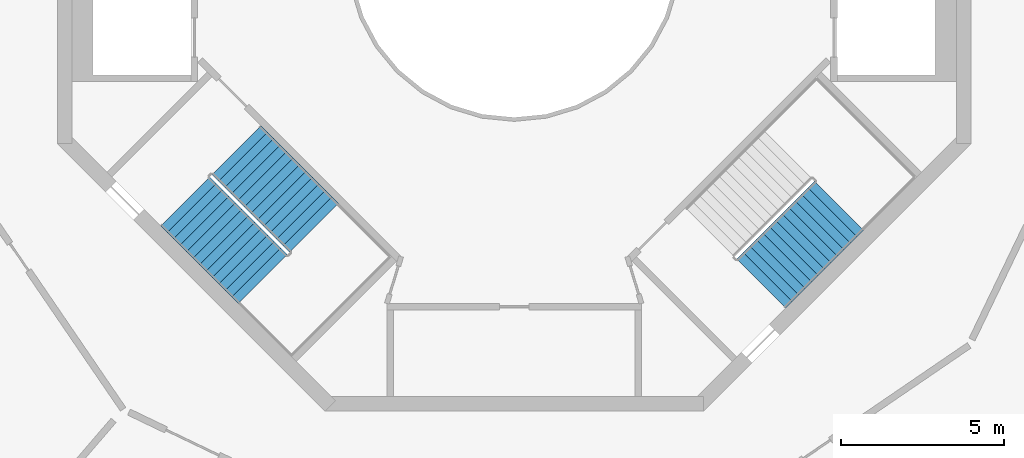
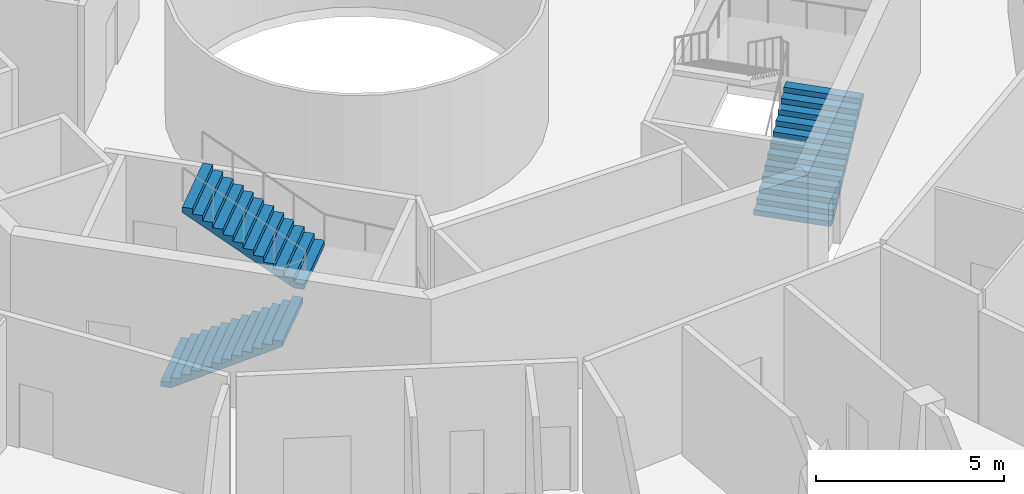
# One storey, part 17 of 19: 3 stair flights, 2 elements without a shape of their own.
"""IFC4 building model written with IfcOpenShell, lengths in metres."""

from ifc_helpers import new_model, si_unit, direction, frame, origin, place, context, subcontext, project, spatial, triangles, material, type_object, element, aggregate, save


model = new_model("IFC4")

# Units and contexts
model_context = context("Model", 3, precision=1e-05, world=origin(), true_north=direction((0.0, 1.0)))
body_context = subcontext(model_context, "Body", "Model", "MODEL_VIEW")
ifc_project = project(units=[si_unit("LENGTHUNIT", "METRE"), si_unit("AREAUNIT", "SQUARE_METRE"), si_unit("VOLUMEUNIT", "CUBIC_METRE"), si_unit("PLANEANGLEUNIT", "RADIAN"), si_unit("MASSUNIT", "GRAM", prefix="KILO")], contexts=[model_context])

# Site, building, storey
site_placement = place(None, origin())
site = spatial("IfcSite", under=ifc_project, at=site_placement, CompositionType="ELEMENT")
building_placement = place(site_placement, origin())
building = spatial("IfcBuilding", under=site, at=building_placement, Name="Verdalira Terraces Hotel", CompositionType="ELEMENT")
storey_placement = place(building_placement, frame((0.0, 0.0, 295.0)))
storey = spatial("IfcBuildingStorey", under=building, at=storey_placement, Name="L73", CompositionType="ELEMENT", Elevation=295.0)

# Stair, stair flights
ifc_material_1 = material(Name="Concrete C40", Category="concrete")
stair_type = type_object("IfcStairType", Name="Core stair 26 risers 2125 mm wide", PredefinedType="HALF_TURN_STAIR", material=ifc_material_1)
stair_1_placement = place(storey_placement, origin())
stair_1 = element("IfcStair", 1, at=stair_1_placement, inside=storey, type_object=stair_type, Name="L73 Exit stair ST2", PredefinedType="HALF_TURN_STAIR")
ifc_material_2 = material(Name="Concrete C40", Category="concrete")
stair_flight_type = type_object("IfcStairFlightType", Name="Core stair flight 26 risers 2125 mm wide", PredefinedType="STRAIGHT", material=ifc_material_2)
stair_flight_1_placement = place(storey_placement, frame((-10.085205, -7.574951, 0.0), z_axis=(0.0, 0.0, 1.0), x_axis=(0.707106781, -0.707106781, 0.0)))
stair_flight_1 = element("IfcStairFlight", 2, at=stair_flight_1_placement, type_object=stair_flight_type, Name="ST2 flight 1", NumberOfRisers=13, NumberOfTreads=12, PredefinedType="STRAIGHT", RiserHeight=0.173076923, TreadLength=0.28, context=body_context, shape_type="Tessellation", body=[
    triangles([(0.0, 1.0625, 0.0), (0.285156, 1.0625, 0.0), (3.360107, 1.0625, 1.900635), (0.0, -1.0625, 0.0), (0.285156, -1.0625, 0.0), (3.360107, -1.0625, 1.900635), (3.360107, 1.0625, 2.076904), (3.080078, 1.0625, 2.076904), (3.360107, -1.0625, 2.076904), (3.080078, -1.0625, 2.076904), (3.080078, 1.0625, 1.903809), (3.080078, -1.0625, 1.903809), (2.800049, 1.0625, 1.903809), (2.800049, -1.0625, 1.903809), (2.800049, 1.0625, 1.730713), (2.800049, -1.0625, 1.730713), (2.52002, 1.0625, 1.730713), (2.52002, 1.0625, 1.557617), (2.52002, -1.0625, 1.730713), (2.52002, -1.0625, 1.557617), (2.23999, 1.0625, 1.557617), (2.23999, 1.0625, 1.384521), (2.23999, -1.0625, 1.557617), (2.23999, -1.0625, 1.384521), (1.959961, 1.0625, 1.384521), (1.959961, 1.0625, 1.211426), (1.959961, -1.0625, 1.384521), (1.959961, -1.0625, 1.211426), (1.679932, 1.0625, 1.211426), (1.679932, 1.0625, 1.038574), (1.679932, -1.0625, 1.211426), (1.679932, -1.0625, 1.038574), (1.399902, 1.0625, 1.038574), (1.399902, 1.0625, 0.865479), (1.399902, -1.0625, 1.038574), (1.399902, -1.0625, 0.865479), (1.120117, 1.0625, 0.865479), (1.120117, 1.0625, 0.692383), (1.120117, -1.0625, 0.865479), (1.120117, -1.0625, 0.692383), (0.840088, 1.0625, 0.692383), (0.840088, 1.0625, 0.519287), (0.840088, -1.0625, 0.692383), (0.840088, -1.0625, 0.519287), (0.560059, 1.0625, 0.519287), (0.560059, 1.0625, 0.346191), (0.560059, -1.0625, 0.519287), (0.560059, -1.0625, 0.346191), (0.280029, 1.0625, 0.346191), (0.280029, 1.0625, 0.173096), (0.280029, -1.0625, 0.346191), (0.280029, -1.0625, 0.173096), (0.0, 1.0625, 0.173096), (0.0, -1.0625, 0.173096), (0.0, -0.996094, 0.0), (0.0, -0.996094, 0.173096), (0.0, -0.929688, 0.0), (0.0, -0.929688, 0.173096), (0.0, -0.863281, 0.0), (0.0, -0.863281, 0.173096), (0.0, -0.796875, 0.0), (0.0, -0.796875, 0.173096), (0.0, -0.730469, 0.0), (0.0, -0.730469, 0.173096), (0.0, -0.664062, 0.0), (0.0, -0.664062, 0.173096), (0.0, -0.597656, 0.0), (0.0, -0.597656, 0.173096), (0.0, -0.53125, 0.0), (0.0, -0.53125, 0.173096), (0.0, -0.464844, 0.0), (0.0, -0.464844, 0.173096), (0.0, -0.398438, 0.0), (0.0, -0.398438, 0.173096), (0.0, -0.332031, 0.0), (0.0, -0.332031, 0.173096), (0.0, -0.265625, 0.0), (0.0, -0.265625, 0.173096), (0.0, -0.199219, 0.0), (0.0, -0.199219, 0.173096), (0.0, -0.132812, 0.0), (0.0, -0.132812, 0.173096), (0.0, -0.066406, 0.0), (0.0, -0.066406, 0.173096), (0.0, 0.0, 0.0), (0.0, 0.0, 0.173096), (0.0, 0.066406, 0.0), (0.0, 0.066406, 0.173096), (0.0, 0.132812, 0.0), (0.0, 0.132812, 0.173096), (0.0, 0.199219, 0.0), (0.0, 0.199219, 0.173096), (0.0, 0.265625, 0.0), (0.0, 0.265625, 0.173096), (0.0, 0.332031, 0.0), (0.0, 0.332031, 0.173096), (0.0, 0.398438, 0.0), (0.0, 0.398438, 0.173096), (0.0, 0.464844, 0.0), (0.0, 0.464844, 0.173096), (0.0, 0.53125, 0.0), (0.0, 0.53125, 0.173096), (0.0, 0.597656, 0.0), (0.0, 0.597656, 0.173096), (0.0, 0.664062, 0.0), (0.0, 0.664062, 0.173096), (0.0, 0.730469, 0.0), (0.0, 0.730469, 0.173096), (0.0, 0.796875, 0.0), (0.0, 0.796875, 0.173096), (0.0, 0.863281, 0.0), (0.0, 0.863281, 0.173096), (0.0, 0.929688, 0.0), (0.0, 0.929688, 0.173096), (0.0, 0.996094, 0.0), (0.0, 0.996094, 0.173096), (3.360107, -0.996094, 2.076904), (3.360107, -0.929688, 2.076904), (3.360107, -0.863281, 2.076904), (3.360107, -0.796875, 2.076904), (3.360107, -0.730469, 2.076904), (3.360107, -0.664062, 2.076904), (3.360107, -0.597656, 2.076904), (3.360107, -0.53125, 2.076904), (3.360107, -0.464844, 2.076904), (3.360107, -0.398438, 2.076904), (3.360107, -0.332031, 2.076904), (3.360107, -0.265625, 2.076904), (3.360107, -0.199219, 2.076904), (3.360107, -0.132812, 2.076904), (3.360107, -0.066406, 2.076904), (3.360107, 0.0, 2.076904), (3.360107, 0.066406, 2.076904), (3.360107, 0.132812, 2.076904), (3.360107, 0.199219, 2.076904), (3.360107, 0.265625, 2.076904), (3.360107, 0.332031, 2.076904), (3.360107, 0.398438, 2.076904), (3.360107, 0.464844, 2.076904), (3.360107, 0.53125, 2.076904), (3.360107, 0.597656, 2.076904), (3.360107, 0.664062, 2.076904), (3.360107, 0.730469, 2.076904), (3.360107, 0.796875, 2.076904), (3.360107, 0.863281, 2.076904), (3.360107, 0.929688, 2.076904), (3.360107, 0.996094, 2.076904), (3.360107, -0.996094, 1.900635), (3.360107, -0.929688, 1.900635), (3.360107, -0.863281, 1.900635), (3.360107, -0.796875, 1.900635), (3.360107, -0.730469, 1.900635), (3.360107, -0.664062, 1.900635), (3.360107, -0.597656, 1.900635), (3.360107, -0.53125, 1.900635), (3.360107, -0.464844, 1.900635), (3.360107, -0.398438, 1.900635), (3.360107, -0.332031, 1.900635), (3.360107, -0.265625, 1.900635), (3.360107, -0.199219, 1.900635), (3.360107, -0.132812, 1.900635), (3.360107, -0.066406, 1.900635), (3.360107, 0.0, 1.900635), (3.360107, 0.066406, 1.900635), (3.360107, 0.132812, 1.900635), (3.360107, 0.199219, 1.900635), (3.360107, 0.265625, 1.900635), (3.360107, 0.332031, 1.900635), (3.360107, 0.398438, 1.900635), (3.360107, 0.464844, 1.900635), (3.360107, 0.53125, 1.900635), (3.360107, 0.597656, 1.900635), (3.360107, 0.664062, 1.900635), (3.360107, 0.730469, 1.900635), (3.360107, 0.796875, 1.900635), (3.360107, 0.863281, 1.900635), (3.360107, 0.929688, 1.900635), (3.360107, 0.996094, 1.900635)], [[1, 3, 2], [4, 5, 6], [3, 8, 7], [6, 9, 10], [3, 11, 8], [6, 10, 12], [3, 13, 11], [6, 12, 14], [3, 15, 13], [6, 14, 16], [15, 18, 17], [16, 19, 20], [3, 18, 15], [6, 16, 20], [18, 22, 21], [20, 23, 24], [3, 22, 18], [6, 20, 24], [22, 26, 25], [24, 27, 28], [3, 26, 22], [6, 24, 28], [1, 26, 3], [4, 6, 28], [26, 30, 29], [28, 31, 32], [30, 34, 33], [32, 35, 36], [26, 34, 30], [28, 32, 36], [34, 38, 37], [36, 39, 40], [26, 38, 34], [28, 36, 40], [38, 42, 41], [40, 43, 44], [26, 42, 38], [28, 40, 44], [42, 46, 45], [44, 47, 48], [26, 46, 42], [28, 44, 48], [46, 50, 49], [48, 51, 52], [26, 50, 46], [28, 48, 52], [1, 50, 26], [4, 28, 52], [50, 1, 53], [52, 54, 4], [4, 56, 55], [4, 54, 56], [55, 58, 57], [55, 56, 58], [57, 60, 59], [57, 58, 60], [59, 62, 61], [59, 60, 62], [61, 64, 63], [61, 62, 64], [63, 66, 65], [63, 64, 66], [65, 68, 67], [65, 66, 68], [67, 70, 69], [67, 68, 70], [69, 72, 71], [69, 70, 72], [71, 74, 73], [71, 72, 74], [73, 76, 75], [73, 74, 76], [75, 78, 77], [75, 76, 78], [77, 80, 79], [77, 78, 80], [79, 82, 81], [79, 80, 82], [81, 84, 83], [81, 82, 84], [83, 86, 85], [83, 84, 86], [85, 88, 87], [85, 86, 88], [87, 90, 89], [87, 88, 90], [89, 92, 91], [89, 90, 92], [91, 94, 93], [91, 92, 94], [93, 96, 95], [93, 94, 96], [95, 98, 97], [95, 96, 98], [97, 100, 99], [97, 98, 100], [99, 102, 101], [99, 100, 102], [101, 104, 103], [101, 102, 104], [103, 106, 105], [103, 104, 106], [105, 108, 107], [105, 106, 108], [107, 110, 109], [107, 108, 110], [109, 112, 111], [109, 110, 112], [111, 114, 113], [111, 112, 114], [113, 116, 115], [113, 114, 116], [115, 53, 1], [115, 116, 53], [54, 52, 56], [56, 52, 58], [58, 52, 60], [60, 52, 62], [62, 52, 64], [64, 52, 66], [66, 52, 68], [68, 52, 70], [70, 52, 72], [72, 52, 74], [74, 52, 76], [76, 52, 78], [78, 52, 80], [80, 52, 82], [82, 52, 84], [84, 52, 86], [86, 52, 88], [88, 52, 90], [90, 52, 92], [92, 52, 94], [94, 52, 96], [96, 52, 98], [98, 52, 100], [100, 52, 102], [102, 52, 104], [104, 52, 106], [106, 52, 108], [108, 52, 110], [110, 52, 112], [112, 52, 114], [114, 52, 116], [116, 52, 53], [53, 52, 50], [52, 49, 50], [52, 51, 49], [51, 46, 49], [51, 48, 46], [48, 45, 46], [48, 47, 45], [47, 42, 45], [47, 44, 42], [44, 41, 42], [44, 43, 41], [43, 38, 41], [43, 40, 38], [40, 37, 38], [40, 39, 37], [39, 34, 37], [39, 36, 34], [36, 33, 34], [36, 35, 33], [35, 30, 33], [35, 32, 30], [32, 29, 30], [32, 31, 29], [31, 26, 29], [31, 28, 26], [28, 25, 26], [28, 27, 25], [27, 22, 25], [27, 24, 22], [24, 21, 22], [24, 23, 21], [23, 18, 21], [23, 20, 18], [20, 17, 18], [20, 19, 17], [19, 15, 17], [19, 16, 15], [16, 13, 15], [16, 14, 13], [14, 11, 13], [14, 12, 11], [12, 8, 11], [12, 10, 8], [9, 117, 10], [117, 118, 10], [118, 119, 10], [119, 120, 10], [120, 121, 10], [121, 122, 10], [122, 123, 10], [123, 124, 10], [124, 125, 10], [125, 126, 10], [126, 127, 10], [127, 128, 10], [128, 129, 10], [129, 130, 10], [130, 131, 10], [131, 132, 10], [132, 133, 10], [133, 134, 10], [134, 135, 10], [135, 136, 10], [136, 137, 10], [137, 138, 10], [138, 139, 10], [139, 140, 10], [140, 141, 10], [141, 142, 10], [142, 143, 10], [143, 144, 10], [144, 145, 10], [145, 146, 10], [146, 147, 10], [147, 7, 10], [7, 8, 10], [9, 148, 117], [9, 6, 148], [117, 149, 118], [117, 148, 149], [118, 150, 119], [118, 149, 150], [119, 151, 120], [119, 150, 151], [120, 152, 121], [120, 151, 152], [121, 153, 122], [121, 152, 153], [122, 154, 123], [122, 153, 154], [123, 155, 124], [123, 154, 155], [124, 156, 125], [124, 155, 156], [125, 157, 126], [125, 156, 157], [126, 158, 127], [126, 157, 158], [127, 159, 128], [127, 158, 159], [128, 160, 129], [128, 159, 160], [129, 161, 130], [129, 160, 161], [130, 162, 131], [130, 161, 162], [131, 163, 132], [131, 162, 163], [132, 164, 133], [132, 163, 164], [133, 165, 134], [133, 164, 165], [134, 166, 135], [134, 165, 166], [135, 167, 136], [135, 166, 167], [136, 168, 137], [136, 167, 168], [137, 169, 138], [137, 168, 169], [138, 170, 139], [138, 169, 170], [139, 171, 140], [139, 170, 171], [140, 172, 141], [140, 171, 172], [141, 173, 142], [141, 172, 173], [142, 174, 143], [142, 173, 174], [143, 175, 144], [143, 174, 175], [144, 176, 145], [144, 175, 176], [145, 177, 146], [145, 176, 177], [146, 178, 147], [146, 177, 178], [147, 3, 7], [147, 178, 3], [6, 5, 148], [148, 5, 149], [149, 5, 150], [150, 5, 151], [151, 5, 152], [152, 5, 153], [153, 5, 154], [154, 5, 155], [155, 5, 156], [156, 5, 157], [157, 5, 158], [158, 5, 159], [159, 5, 160], [160, 5, 161], [161, 5, 162], [162, 5, 163], [163, 5, 164], [164, 5, 165], [165, 5, 166], [166, 5, 167], [167, 5, 168], [168, 5, 169], [169, 5, 170], [170, 5, 171], [171, 5, 172], [172, 5, 173], [173, 5, 174], [174, 5, 175], [175, 5, 176], [176, 5, 177], [177, 5, 178], [178, 5, 3], [3, 5, 2], [4, 55, 5], [55, 57, 5], [57, 59, 5], [59, 61, 5], [61, 63, 5], [63, 65, 5], [65, 67, 5], [67, 69, 5], [69, 71, 5], [71, 73, 5], [73, 75, 5], [75, 77, 5], [77, 79, 5], [79, 81, 5], [81, 83, 5], [83, 85, 5], [85, 87, 5], [87, 89, 5], [89, 91, 5], [91, 93, 5], [93, 95, 5], [95, 97, 5], [97, 99, 5], [99, 101, 5], [101, 103, 5], [103, 105, 5], [105, 107, 5], [107, 109, 5], [109, 111, 5], [111, 113, 5], [113, 115, 5], [115, 1, 5], [1, 2, 5]], closed=True),
])
stair_flight_2_placement = place(storey_placement, frame((-6.135986, -8.377441, 2.25), z_axis=(0.0, 0.0, 1.0), x_axis=(-0.707106781, 0.707106781, 0.0)))
stair_flight_2 = element("IfcStairFlight", 3, at=stair_flight_2_placement, type_object=stair_flight_type, Name="ST2 flight 2", NumberOfRisers=13, NumberOfTreads=12, PredefinedType="STRAIGHT", RiserHeight=0.173076923, TreadLength=0.28, context=body_context, shape_type="Tessellation", body=[
    triangles([(0.0, 1.0625, 0.0), (0.285156, 1.0625, 0.0), (3.360107, 1.0625, 1.900635), (0.0, -1.0625, 0.0), (0.285156, -1.0625, 0.0), (3.360107, -1.0625, 1.900635), (3.360107, 1.0625, 2.076904), (3.080078, 1.0625, 2.076904), (3.360107, -1.0625, 2.076904), (3.080078, -1.0625, 2.076904), (3.080078, 1.0625, 1.903809), (3.080078, -1.0625, 1.903809), (2.800049, 1.0625, 1.903809), (2.800049, -1.0625, 1.903809), (2.800049, 1.0625, 1.730713), (2.800049, -1.0625, 1.730713), (2.52002, 1.0625, 1.730713), (2.52002, 1.0625, 1.557617), (2.52002, -1.0625, 1.730713), (2.52002, -1.0625, 1.557617), (2.23999, 1.0625, 1.557617), (2.23999, 1.0625, 1.384521), (2.23999, -1.0625, 1.557617), (2.23999, -1.0625, 1.384521), (1.959961, 1.0625, 1.384521), (1.959961, 1.0625, 1.211426), (1.959961, -1.0625, 1.384521), (1.959961, -1.0625, 1.211426), (1.679932, 1.0625, 1.211426), (1.679932, 1.0625, 1.038574), (1.679932, -1.0625, 1.211426), (1.679932, -1.0625, 1.038574), (1.399902, 1.0625, 1.038574), (1.399902, 1.0625, 0.865479), (1.399902, -1.0625, 1.038574), (1.399902, -1.0625, 0.865479), (1.120117, 1.0625, 0.865479), (1.120117, 1.0625, 0.692383), (1.120117, -1.0625, 0.865479), (1.120117, -1.0625, 0.692383), (0.840088, 1.0625, 0.692383), (0.840088, 1.0625, 0.519287), (0.840088, -1.0625, 0.692383), (0.840088, -1.0625, 0.519287), (0.560059, 1.0625, 0.519287), (0.560059, 1.0625, 0.346191), (0.560059, -1.0625, 0.519287), (0.560059, -1.0625, 0.346191), (0.280029, 1.0625, 0.346191), (0.280029, 1.0625, 0.173096), (0.280029, -1.0625, 0.346191), (0.280029, -1.0625, 0.173096), (0.0, 1.0625, 0.173096), (0.0, -1.0625, 0.173096), (0.0, -0.996094, 0.0), (0.0, -0.996094, 0.173096), (0.0, -0.929688, 0.0), (0.0, -0.929688, 0.173096), (0.0, -0.863281, 0.0), (0.0, -0.863281, 0.173096), (0.0, -0.796875, 0.0), (0.0, -0.796875, 0.173096), (0.0, -0.730469, 0.0), (0.0, -0.730469, 0.173096), (0.0, -0.664062, 0.0), (0.0, -0.664062, 0.173096), (0.0, -0.597656, 0.0), (0.0, -0.597656, 0.173096), (0.0, -0.53125, 0.0), (0.0, -0.53125, 0.173096), (0.0, -0.464844, 0.0), (0.0, -0.464844, 0.173096), (0.0, -0.398438, 0.0), (0.0, -0.398438, 0.173096), (0.0, -0.332031, 0.0), (0.0, -0.332031, 0.173096), (0.0, -0.265625, 0.0), (0.0, -0.265625, 0.173096), (0.0, -0.199219, 0.0), (0.0, -0.199219, 0.173096), (0.0, -0.132812, 0.0), (0.0, -0.132812, 0.173096), (0.0, -0.066406, 0.0), (0.0, -0.066406, 0.173096), (0.0, 0.0, 0.0), (0.0, 0.0, 0.173096), (0.0, 0.066406, 0.0), (0.0, 0.066406, 0.173096), (0.0, 0.132812, 0.0), (0.0, 0.132812, 0.173096), (0.0, 0.199219, 0.0), (0.0, 0.199219, 0.173096), (0.0, 0.265625, 0.0), (0.0, 0.265625, 0.173096), (0.0, 0.332031, 0.0), (0.0, 0.332031, 0.173096), (0.0, 0.398438, 0.0), (0.0, 0.398438, 0.173096), (0.0, 0.464844, 0.0), (0.0, 0.464844, 0.173096), (0.0, 0.53125, 0.0), (0.0, 0.53125, 0.173096), (0.0, 0.597656, 0.0), (0.0, 0.597656, 0.173096), (0.0, 0.664062, 0.0), (0.0, 0.664062, 0.173096), (0.0, 0.730469, 0.0), (0.0, 0.730469, 0.173096), (0.0, 0.796875, 0.0), (0.0, 0.796875, 0.173096), (0.0, 0.863281, 0.0), (0.0, 0.863281, 0.173096), (0.0, 0.929688, 0.0), (0.0, 0.929688, 0.173096), (0.0, 0.996094, 0.0), (0.0, 0.996094, 0.173096), (3.360107, -0.996094, 2.076904), (3.360107, -0.929688, 2.076904), (3.360107, -0.863281, 2.076904), (3.360107, -0.796875, 2.076904), (3.360107, -0.730469, 2.076904), (3.360107, -0.664062, 2.076904), (3.360107, -0.597656, 2.076904), (3.360107, -0.53125, 2.076904), (3.360107, -0.464844, 2.076904), (3.360107, -0.398438, 2.076904), (3.360107, -0.332031, 2.076904), (3.360107, -0.265625, 2.076904), (3.360107, -0.199219, 2.076904), (3.360107, -0.132812, 2.076904), (3.360107, -0.066406, 2.076904), (3.360107, 0.0, 2.076904), (3.360107, 0.066406, 2.076904), (3.360107, 0.132812, 2.076904), (3.360107, 0.199219, 2.076904), (3.360107, 0.265625, 2.076904), (3.360107, 0.332031, 2.076904), (3.360107, 0.398438, 2.076904), (3.360107, 0.464844, 2.076904), (3.360107, 0.53125, 2.076904), (3.360107, 0.597656, 2.076904), (3.360107, 0.664062, 2.076904), (3.360107, 0.730469, 2.076904), (3.360107, 0.796875, 2.076904), (3.360107, 0.863281, 2.076904), (3.360107, 0.929688, 2.076904), (3.360107, 0.996094, 2.076904), (3.360107, -0.996094, 1.900635), (3.360107, -0.929688, 1.900635), (3.360107, -0.863281, 1.900635), (3.360107, -0.796875, 1.900635), (3.360107, -0.730469, 1.900635), (3.360107, -0.664062, 1.900635), (3.360107, -0.597656, 1.900635), (3.360107, -0.53125, 1.900635), (3.360107, -0.464844, 1.900635), (3.360107, -0.398438, 1.900635), (3.360107, -0.332031, 1.900635), (3.360107, -0.265625, 1.900635), (3.360107, -0.199219, 1.900635), (3.360107, -0.132812, 1.900635), (3.360107, -0.066406, 1.900635), (3.360107, 0.0, 1.900635), (3.360107, 0.066406, 1.900635), (3.360107, 0.132812, 1.900635), (3.360107, 0.199219, 1.900635), (3.360107, 0.265625, 1.900635), (3.360107, 0.332031, 1.900635), (3.360107, 0.398438, 1.900635), (3.360107, 0.464844, 1.900635), (3.360107, 0.53125, 1.900635), (3.360107, 0.597656, 1.900635), (3.360107, 0.664062, 1.900635), (3.360107, 0.730469, 1.900635), (3.360107, 0.796875, 1.900635), (3.360107, 0.863281, 1.900635), (3.360107, 0.929688, 1.900635), (3.360107, 0.996094, 1.900635)], [[1, 3, 2], [4, 5, 6], [3, 8, 7], [6, 9, 10], [3, 11, 8], [6, 10, 12], [3, 13, 11], [6, 12, 14], [3, 15, 13], [6, 14, 16], [15, 18, 17], [16, 19, 20], [3, 18, 15], [6, 16, 20], [18, 22, 21], [20, 23, 24], [3, 22, 18], [6, 20, 24], [22, 26, 25], [24, 27, 28], [3, 26, 22], [6, 24, 28], [1, 26, 3], [4, 6, 28], [26, 30, 29], [28, 31, 32], [30, 34, 33], [32, 35, 36], [26, 34, 30], [28, 32, 36], [34, 38, 37], [36, 39, 40], [26, 38, 34], [28, 36, 40], [38, 42, 41], [40, 43, 44], [26, 42, 38], [28, 40, 44], [42, 46, 45], [44, 47, 48], [26, 46, 42], [28, 44, 48], [46, 50, 49], [48, 51, 52], [26, 50, 46], [28, 48, 52], [1, 50, 26], [4, 28, 52], [50, 1, 53], [52, 54, 4], [4, 56, 55], [4, 54, 56], [55, 58, 57], [55, 56, 58], [57, 60, 59], [57, 58, 60], [59, 62, 61], [59, 60, 62], [61, 64, 63], [61, 62, 64], [63, 66, 65], [63, 64, 66], [65, 68, 67], [65, 66, 68], [67, 70, 69], [67, 68, 70], [69, 72, 71], [69, 70, 72], [71, 74, 73], [71, 72, 74], [73, 76, 75], [73, 74, 76], [75, 78, 77], [75, 76, 78], [77, 80, 79], [77, 78, 80], [79, 82, 81], [79, 80, 82], [81, 84, 83], [81, 82, 84], [83, 86, 85], [83, 84, 86], [85, 88, 87], [85, 86, 88], [87, 90, 89], [87, 88, 90], [89, 92, 91], [89, 90, 92], [91, 94, 93], [91, 92, 94], [93, 96, 95], [93, 94, 96], [95, 98, 97], [95, 96, 98], [97, 100, 99], [97, 98, 100], [99, 102, 101], [99, 100, 102], [101, 104, 103], [101, 102, 104], [103, 106, 105], [103, 104, 106], [105, 108, 107], [105, 106, 108], [107, 110, 109], [107, 108, 110], [109, 112, 111], [109, 110, 112], [111, 114, 113], [111, 112, 114], [113, 116, 115], [113, 114, 116], [115, 53, 1], [115, 116, 53], [54, 52, 56], [56, 52, 58], [58, 52, 60], [60, 52, 62], [62, 52, 64], [64, 52, 66], [66, 52, 68], [68, 52, 70], [70, 52, 72], [72, 52, 74], [74, 52, 76], [76, 52, 78], [78, 52, 80], [80, 52, 82], [82, 52, 84], [84, 52, 86], [86, 52, 88], [88, 52, 90], [90, 52, 92], [92, 52, 94], [94, 52, 96], [96, 52, 98], [98, 52, 100], [100, 52, 102], [102, 52, 104], [104, 52, 106], [106, 52, 108], [108, 52, 110], [110, 52, 112], [112, 52, 114], [114, 52, 116], [116, 52, 53], [53, 52, 50], [52, 49, 50], [52, 51, 49], [51, 46, 49], [51, 48, 46], [48, 45, 46], [48, 47, 45], [47, 42, 45], [47, 44, 42], [44, 41, 42], [44, 43, 41], [43, 38, 41], [43, 40, 38], [40, 37, 38], [40, 39, 37], [39, 34, 37], [39, 36, 34], [36, 33, 34], [36, 35, 33], [35, 30, 33], [35, 32, 30], [32, 29, 30], [32, 31, 29], [31, 26, 29], [31, 28, 26], [28, 25, 26], [28, 27, 25], [27, 22, 25], [27, 24, 22], [24, 21, 22], [24, 23, 21], [23, 18, 21], [23, 20, 18], [20, 17, 18], [20, 19, 17], [19, 15, 17], [19, 16, 15], [16, 13, 15], [16, 14, 13], [14, 11, 13], [14, 12, 11], [12, 8, 11], [12, 10, 8], [9, 117, 10], [117, 118, 10], [118, 119, 10], [119, 120, 10], [120, 121, 10], [121, 122, 10], [122, 123, 10], [123, 124, 10], [124, 125, 10], [125, 126, 10], [126, 127, 10], [127, 128, 10], [128, 129, 10], [129, 130, 10], [130, 131, 10], [131, 132, 10], [132, 133, 10], [133, 134, 10], [134, 135, 10], [135, 136, 10], [136, 137, 10], [137, 138, 10], [138, 139, 10], [139, 140, 10], [140, 141, 10], [141, 142, 10], [142, 143, 10], [143, 144, 10], [144, 145, 10], [145, 146, 10], [146, 147, 10], [147, 7, 10], [7, 8, 10], [9, 148, 117], [9, 6, 148], [117, 149, 118], [117, 148, 149], [118, 150, 119], [118, 149, 150], [119, 151, 120], [119, 150, 151], [120, 152, 121], [120, 151, 152], [121, 153, 122], [121, 152, 153], [122, 154, 123], [122, 153, 154], [123, 155, 124], [123, 154, 155], [124, 156, 125], [124, 155, 156], [125, 157, 126], [125, 156, 157], [126, 158, 127], [126, 157, 158], [127, 159, 128], [127, 158, 159], [128, 160, 129], [128, 159, 160], [129, 161, 130], [129, 160, 161], [130, 162, 131], [130, 161, 162], [131, 163, 132], [131, 162, 163], [132, 164, 133], [132, 163, 164], [133, 165, 134], [133, 164, 165], [134, 166, 135], [134, 165, 166], [135, 167, 136], [135, 166, 167], [136, 168, 137], [136, 167, 168], [137, 169, 138], [137, 168, 169], [138, 170, 139], [138, 169, 170], [139, 171, 140], [139, 170, 171], [140, 172, 141], [140, 171, 172], [141, 173, 142], [141, 172, 173], [142, 174, 143], [142, 173, 174], [143, 175, 144], [143, 174, 175], [144, 176, 145], [144, 175, 176], [145, 177, 146], [145, 176, 177], [146, 178, 147], [146, 177, 178], [147, 3, 7], [147, 178, 3], [6, 5, 148], [148, 5, 149], [149, 5, 150], [150, 5, 151], [151, 5, 152], [152, 5, 153], [153, 5, 154], [154, 5, 155], [155, 5, 156], [156, 5, 157], [157, 5, 158], [158, 5, 159], [159, 5, 160], [160, 5, 161], [161, 5, 162], [162, 5, 163], [163, 5, 164], [164, 5, 165], [165, 5, 166], [166, 5, 167], [167, 5, 168], [168, 5, 169], [169, 5, 170], [170, 5, 171], [171, 5, 172], [172, 5, 173], [173, 5, 174], [174, 5, 175], [175, 5, 176], [176, 5, 177], [177, 5, 178], [178, 5, 3], [3, 5, 2], [4, 55, 5], [55, 57, 5], [57, 59, 5], [59, 61, 5], [61, 63, 5], [63, 65, 5], [65, 67, 5], [67, 69, 5], [69, 71, 5], [71, 73, 5], [73, 75, 5], [75, 77, 5], [77, 79, 5], [79, 81, 5], [81, 83, 5], [83, 85, 5], [85, 87, 5], [87, 89, 5], [89, 91, 5], [91, 93, 5], [93, 95, 5], [95, 97, 5], [97, 99, 5], [99, 101, 5], [101, 103, 5], [103, 105, 5], [105, 107, 5], [107, 109, 5], [109, 111, 5], [111, 113, 5], [113, 115, 5], [115, 1, 5], [1, 2, 5]], closed=True),
])
aggregate(stair_1, [stair_flight_1, stair_flight_2])

# Stair, stair flight
stair_2_placement = place(storey_placement, origin())
stair_2 = element("IfcStair", 4, at=stair_2_placement, inside=storey, type_object=stair_type, Name="L73 Exit stair ST3", PredefinedType="HALF_TURN_STAIR")
stair_flight_3_placement = place(storey_placement, frame((7.574951, -10.085205, 0.0), z_axis=(0.0, 0.0, 1.0), x_axis=(0.707106781, 0.707106781, 0.0)))
stair_flight_3 = element("IfcStairFlight", 5, at=stair_flight_3_placement, type_object=stair_flight_type, Name="ST3 flight 1", NumberOfRisers=13, NumberOfTreads=12, PredefinedType="STRAIGHT", RiserHeight=0.173076923, TreadLength=0.28, context=body_context, shape_type="Tessellation", body=[
    triangles([(0.0, 1.0625, 0.0), (0.285156, 1.0625, 0.0), (3.360107, 1.0625, 1.900635), (0.0, -1.0625, 0.0), (0.285156, -1.0625, 0.0), (3.360107, -1.0625, 1.900635), (3.360107, 1.0625, 2.076904), (3.080078, 1.0625, 2.076904), (3.360107, -1.0625, 2.076904), (3.080078, -1.0625, 2.076904), (3.080078, 1.0625, 1.903809), (3.080078, -1.0625, 1.903809), (2.800049, 1.0625, 1.903809), (2.800049, -1.0625, 1.903809), (2.800049, 1.0625, 1.730713), (2.800049, -1.0625, 1.730713), (2.52002, 1.0625, 1.730713), (2.52002, 1.0625, 1.557617), (2.52002, -1.0625, 1.730713), (2.52002, -1.0625, 1.557617), (2.23999, 1.0625, 1.557617), (2.23999, 1.0625, 1.384521), (2.23999, -1.0625, 1.557617), (2.23999, -1.0625, 1.384521), (1.959961, 1.0625, 1.384521), (1.959961, 1.0625, 1.211426), (1.959961, -1.0625, 1.384521), (1.959961, -1.0625, 1.211426), (1.679932, 1.0625, 1.211426), (1.679932, 1.0625, 1.038574), (1.679932, -1.0625, 1.211426), (1.679932, -1.0625, 1.038574), (1.399902, 1.0625, 1.038574), (1.399902, 1.0625, 0.865479), (1.399902, -1.0625, 1.038574), (1.399902, -1.0625, 0.865479), (1.120117, 1.0625, 0.865479), (1.120117, 1.0625, 0.692383), (1.120117, -1.0625, 0.865479), (1.120117, -1.0625, 0.692383), (0.840088, 1.0625, 0.692383), (0.840088, 1.0625, 0.519287), (0.840088, -1.0625, 0.692383), (0.840088, -1.0625, 0.519287), (0.560059, 1.0625, 0.519287), (0.560059, 1.0625, 0.346191), (0.560059, -1.0625, 0.519287), (0.560059, -1.0625, 0.346191), (0.280029, 1.0625, 0.346191), (0.280029, 1.0625, 0.173096), (0.280029, -1.0625, 0.346191), (0.280029, -1.0625, 0.173096), (0.0, 1.0625, 0.173096), (0.0, -1.0625, 0.173096), (0.0, -0.996094, 0.0), (0.0, -0.996094, 0.173096), (0.0, -0.929688, 0.0), (0.0, -0.929688, 0.173096), (0.0, -0.863281, 0.0), (0.0, -0.863281, 0.173096), (0.0, -0.796875, 0.0), (0.0, -0.796875, 0.173096), (0.0, -0.730469, 0.0), (0.0, -0.730469, 0.173096), (0.0, -0.664062, 0.0), (0.0, -0.664062, 0.173096), (0.0, -0.597656, 0.0), (0.0, -0.597656, 0.173096), (0.0, -0.53125, 0.0), (0.0, -0.53125, 0.173096), (0.0, -0.464844, 0.0), (0.0, -0.464844, 0.173096), (0.0, -0.398438, 0.0), (0.0, -0.398438, 0.173096), (0.0, -0.332031, 0.0), (0.0, -0.332031, 0.173096), (0.0, -0.265625, 0.0), (0.0, -0.265625, 0.173096), (0.0, -0.199219, 0.0), (0.0, -0.199219, 0.173096), (0.0, -0.132812, 0.0), (0.0, -0.132812, 0.173096), (0.0, -0.066406, 0.0), (0.0, -0.066406, 0.173096), (0.0, 0.0, 0.0), (0.0, 0.0, 0.173096), (0.0, 0.066406, 0.0), (0.0, 0.066406, 0.173096), (0.0, 0.132812, 0.0), (0.0, 0.132812, 0.173096), (0.0, 0.199219, 0.0), (0.0, 0.199219, 0.173096), (0.0, 0.265625, 0.0), (0.0, 0.265625, 0.173096), (0.0, 0.332031, 0.0), (0.0, 0.332031, 0.173096), (0.0, 0.398438, 0.0), (0.0, 0.398438, 0.173096), (0.0, 0.464844, 0.0), (0.0, 0.464844, 0.173096), (0.0, 0.53125, 0.0), (0.0, 0.53125, 0.173096), (0.0, 0.597656, 0.0), (0.0, 0.597656, 0.173096), (0.0, 0.664062, 0.0), (0.0, 0.664062, 0.173096), (0.0, 0.730469, 0.0), (0.0, 0.730469, 0.173096), (0.0, 0.796875, 0.0), (0.0, 0.796875, 0.173096), (0.0, 0.863281, 0.0), (0.0, 0.863281, 0.173096), (0.0, 0.929688, 0.0), (0.0, 0.929688, 0.173096), (0.0, 0.996094, 0.0), (0.0, 0.996094, 0.173096), (3.360107, -0.996094, 2.076904), (3.360107, -0.929688, 2.076904), (3.360107, -0.863281, 2.076904), (3.360107, -0.796875, 2.076904), (3.360107, -0.730469, 2.076904), (3.360107, -0.664062, 2.076904), (3.360107, -0.597656, 2.076904), (3.360107, -0.53125, 2.076904), (3.360107, -0.464844, 2.076904), (3.360107, -0.398438, 2.076904), (3.360107, -0.332031, 2.076904), (3.360107, -0.265625, 2.076904), (3.360107, -0.199219, 2.076904), (3.360107, -0.132812, 2.076904), (3.360107, -0.066406, 2.076904), (3.360107, 0.0, 2.076904), (3.360107, 0.066406, 2.076904), (3.360107, 0.132812, 2.076904), (3.360107, 0.199219, 2.076904), (3.360107, 0.265625, 2.076904), (3.360107, 0.332031, 2.076904), (3.360107, 0.398438, 2.076904), (3.360107, 0.464844, 2.076904), (3.360107, 0.53125, 2.076904), (3.360107, 0.597656, 2.076904), (3.360107, 0.664062, 2.076904), (3.360107, 0.730469, 2.076904), (3.360107, 0.796875, 2.076904), (3.360107, 0.863281, 2.076904), (3.360107, 0.929688, 2.076904), (3.360107, 0.996094, 2.076904), (3.360107, -0.996094, 1.900635), (3.360107, -0.929688, 1.900635), (3.360107, -0.863281, 1.900635), (3.360107, -0.796875, 1.900635), (3.360107, -0.730469, 1.900635), (3.360107, -0.664062, 1.900635), (3.360107, -0.597656, 1.900635), (3.360107, -0.53125, 1.900635), (3.360107, -0.464844, 1.900635), (3.360107, -0.398438, 1.900635), (3.360107, -0.332031, 1.900635), (3.360107, -0.265625, 1.900635), (3.360107, -0.199219, 1.900635), (3.360107, -0.132812, 1.900635), (3.360107, -0.066406, 1.900635), (3.360107, 0.0, 1.900635), (3.360107, 0.066406, 1.900635), (3.360107, 0.132812, 1.900635), (3.360107, 0.199219, 1.900635), (3.360107, 0.265625, 1.900635), (3.360107, 0.332031, 1.900635), (3.360107, 0.398438, 1.900635), (3.360107, 0.464844, 1.900635), (3.360107, 0.53125, 1.900635), (3.360107, 0.597656, 1.900635), (3.360107, 0.664062, 1.900635), (3.360107, 0.730469, 1.900635), (3.360107, 0.796875, 1.900635), (3.360107, 0.863281, 1.900635), (3.360107, 0.929688, 1.900635), (3.360107, 0.996094, 1.900635)], [[1, 3, 2], [4, 5, 6], [3, 8, 7], [6, 9, 10], [3, 11, 8], [6, 10, 12], [3, 13, 11], [6, 12, 14], [3, 15, 13], [6, 14, 16], [15, 18, 17], [16, 19, 20], [3, 18, 15], [6, 16, 20], [18, 22, 21], [20, 23, 24], [3, 22, 18], [6, 20, 24], [22, 26, 25], [24, 27, 28], [3, 26, 22], [6, 24, 28], [1, 26, 3], [4, 6, 28], [26, 30, 29], [28, 31, 32], [30, 34, 33], [32, 35, 36], [26, 34, 30], [28, 32, 36], [34, 38, 37], [36, 39, 40], [26, 38, 34], [28, 36, 40], [38, 42, 41], [40, 43, 44], [26, 42, 38], [28, 40, 44], [42, 46, 45], [44, 47, 48], [26, 46, 42], [28, 44, 48], [46, 50, 49], [48, 51, 52], [26, 50, 46], [28, 48, 52], [1, 50, 26], [4, 28, 52], [50, 1, 53], [52, 54, 4], [4, 56, 55], [4, 54, 56], [55, 58, 57], [55, 56, 58], [57, 60, 59], [57, 58, 60], [59, 62, 61], [59, 60, 62], [61, 64, 63], [61, 62, 64], [63, 66, 65], [63, 64, 66], [65, 68, 67], [65, 66, 68], [67, 70, 69], [67, 68, 70], [69, 72, 71], [69, 70, 72], [71, 74, 73], [71, 72, 74], [73, 76, 75], [73, 74, 76], [75, 78, 77], [75, 76, 78], [77, 80, 79], [77, 78, 80], [79, 82, 81], [79, 80, 82], [81, 84, 83], [81, 82, 84], [83, 86, 85], [83, 84, 86], [85, 88, 87], [85, 86, 88], [87, 90, 89], [87, 88, 90], [89, 92, 91], [89, 90, 92], [91, 94, 93], [91, 92, 94], [93, 96, 95], [93, 94, 96], [95, 98, 97], [95, 96, 98], [97, 100, 99], [97, 98, 100], [99, 102, 101], [99, 100, 102], [101, 104, 103], [101, 102, 104], [103, 106, 105], [103, 104, 106], [105, 108, 107], [105, 106, 108], [107, 110, 109], [107, 108, 110], [109, 112, 111], [109, 110, 112], [111, 114, 113], [111, 112, 114], [113, 116, 115], [113, 114, 116], [115, 53, 1], [115, 116, 53], [54, 52, 56], [56, 52, 58], [58, 52, 60], [60, 52, 62], [62, 52, 64], [64, 52, 66], [66, 52, 68], [68, 52, 70], [70, 52, 72], [72, 52, 74], [74, 52, 76], [76, 52, 78], [78, 52, 80], [80, 52, 82], [82, 52, 84], [84, 52, 86], [86, 52, 88], [88, 52, 90], [90, 52, 92], [92, 52, 94], [94, 52, 96], [96, 52, 98], [98, 52, 100], [100, 52, 102], [102, 52, 104], [104, 52, 106], [106, 52, 108], [108, 52, 110], [110, 52, 112], [112, 52, 114], [114, 52, 116], [116, 52, 53], [53, 52, 50], [52, 49, 50], [52, 51, 49], [51, 46, 49], [51, 48, 46], [48, 45, 46], [48, 47, 45], [47, 42, 45], [47, 44, 42], [44, 41, 42], [44, 43, 41], [43, 38, 41], [43, 40, 38], [40, 37, 38], [40, 39, 37], [39, 34, 37], [39, 36, 34], [36, 33, 34], [36, 35, 33], [35, 30, 33], [35, 32, 30], [32, 29, 30], [32, 31, 29], [31, 26, 29], [31, 28, 26], [28, 25, 26], [28, 27, 25], [27, 22, 25], [27, 24, 22], [24, 21, 22], [24, 23, 21], [23, 18, 21], [23, 20, 18], [20, 17, 18], [20, 19, 17], [19, 15, 17], [19, 16, 15], [16, 13, 15], [16, 14, 13], [14, 11, 13], [14, 12, 11], [12, 8, 11], [12, 10, 8], [9, 117, 10], [117, 118, 10], [118, 119, 10], [119, 120, 10], [120, 121, 10], [121, 122, 10], [122, 123, 10], [123, 124, 10], [124, 125, 10], [125, 126, 10], [126, 127, 10], [127, 128, 10], [128, 129, 10], [129, 130, 10], [130, 131, 10], [131, 132, 10], [132, 133, 10], [133, 134, 10], [134, 135, 10], [135, 136, 10], [136, 137, 10], [137, 138, 10], [138, 139, 10], [139, 140, 10], [140, 141, 10], [141, 142, 10], [142, 143, 10], [143, 144, 10], [144, 145, 10], [145, 146, 10], [146, 147, 10], [147, 7, 10], [7, 8, 10], [9, 148, 117], [9, 6, 148], [117, 149, 118], [117, 148, 149], [118, 150, 119], [118, 149, 150], [119, 151, 120], [119, 150, 151], [120, 152, 121], [120, 151, 152], [121, 153, 122], [121, 152, 153], [122, 154, 123], [122, 153, 154], [123, 155, 124], [123, 154, 155], [124, 156, 125], [124, 155, 156], [125, 157, 126], [125, 156, 157], [126, 158, 127], [126, 157, 158], [127, 159, 128], [127, 158, 159], [128, 160, 129], [128, 159, 160], [129, 161, 130], [129, 160, 161], [130, 162, 131], [130, 161, 162], [131, 163, 132], [131, 162, 163], [132, 164, 133], [132, 163, 164], [133, 165, 134], [133, 164, 165], [134, 166, 135], [134, 165, 166], [135, 167, 136], [135, 166, 167], [136, 168, 137], [136, 167, 168], [137, 169, 138], [137, 168, 169], [138, 170, 139], [138, 169, 170], [139, 171, 140], [139, 170, 171], [140, 172, 141], [140, 171, 172], [141, 173, 142], [141, 172, 173], [142, 174, 143], [142, 173, 174], [143, 175, 144], [143, 174, 175], [144, 176, 145], [144, 175, 176], [145, 177, 146], [145, 176, 177], [146, 178, 147], [146, 177, 178], [147, 3, 7], [147, 178, 3], [6, 5, 148], [148, 5, 149], [149, 5, 150], [150, 5, 151], [151, 5, 152], [152, 5, 153], [153, 5, 154], [154, 5, 155], [155, 5, 156], [156, 5, 157], [157, 5, 158], [158, 5, 159], [159, 5, 160], [160, 5, 161], [161, 5, 162], [162, 5, 163], [163, 5, 164], [164, 5, 165], [165, 5, 166], [166, 5, 167], [167, 5, 168], [168, 5, 169], [169, 5, 170], [170, 5, 171], [171, 5, 172], [172, 5, 173], [173, 5, 174], [174, 5, 175], [175, 5, 176], [176, 5, 177], [177, 5, 178], [178, 5, 3], [3, 5, 2], [4, 55, 5], [55, 57, 5], [57, 59, 5], [59, 61, 5], [61, 63, 5], [63, 65, 5], [65, 67, 5], [67, 69, 5], [69, 71, 5], [71, 73, 5], [73, 75, 5], [75, 77, 5], [77, 79, 5], [79, 81, 5], [81, 83, 5], [83, 85, 5], [85, 87, 5], [87, 89, 5], [89, 91, 5], [91, 93, 5], [93, 95, 5], [95, 97, 5], [97, 99, 5], [99, 101, 5], [101, 103, 5], [103, 105, 5], [105, 107, 5], [107, 109, 5], [109, 111, 5], [111, 113, 5], [113, 115, 5], [115, 1, 5], [1, 2, 5]], closed=True),
])
aggregate(stair_2, [stair_flight_3])

save(model, "model.ifc")
